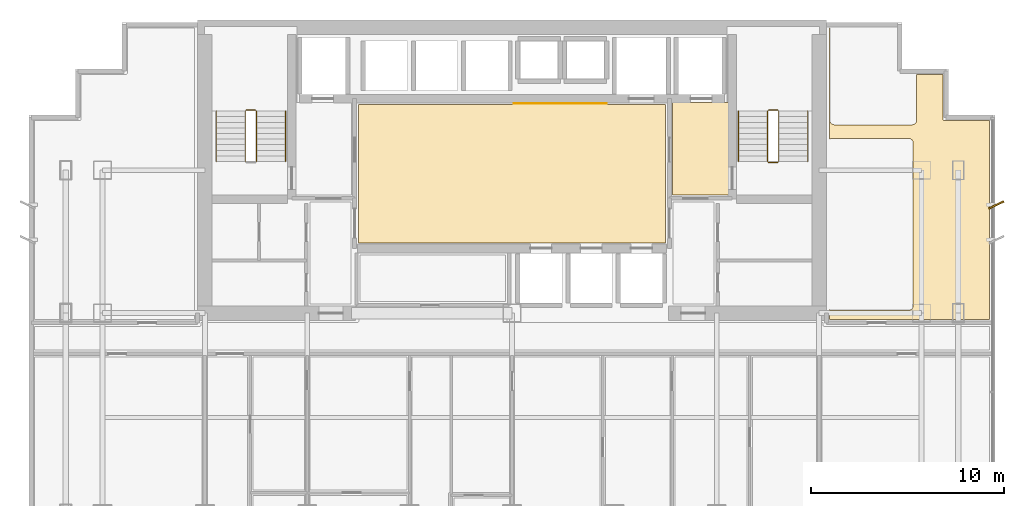
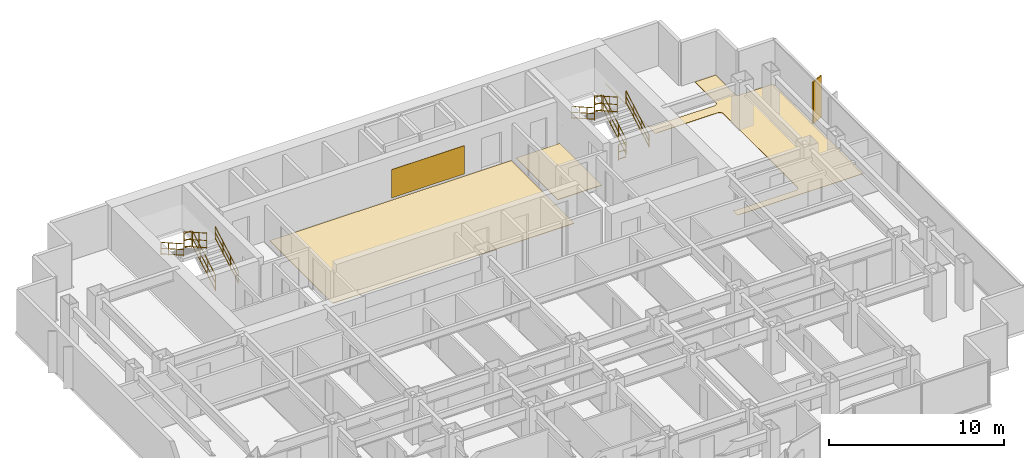
# One storey, part 11 of 11: 11 railings, 4 coverings, 1 shading device.
"""IFC4 building model written with IfcOpenShell, lengths in metres."""

from ifc_helpers import new_model, si_unit, direction, frame, origin, origin_2d, place, context, subcontext, project, spatial, polyline, rectangle, circle, outline, extrude, source, transform, mapped, material, layer, layer_set, type_object, element, save


model = new_model("IFC4")

# Units and contexts
model_context = context("Model", 3, precision=1e-05, world=origin(), true_north=direction((0.0, 1.0)))
body_context = subcontext(model_context, "Body", "Model", "MODEL_VIEW")
ifc_project = project(units=[si_unit("LENGTHUNIT", "METRE"), si_unit("AREAUNIT", "SQUARE_METRE"), si_unit("VOLUMEUNIT", "CUBIC_METRE"), si_unit("PLANEANGLEUNIT", "RADIAN"), si_unit("MASSUNIT", "GRAM", prefix="KILO")], contexts=[model_context])

# Site, building, storey
site_placement = place(None, origin())
site = spatial("IfcSite", under=ifc_project, at=site_placement, CompositionType="ELEMENT")
building_placement = place(site_placement, origin())
building = spatial("IfcBuilding", under=site, at=building_placement, Name="Qianlan Lanfeng Residences", CompositionType="ELEMENT")
storey_placement = place(building_placement, frame((0.0, 0.0, 124.60009765625)))
storey = spatial("IfcBuildingStorey", under=building, at=storey_placement, Name="L34", CompositionType="ELEMENT", Elevation=124.60009765625)

# Coverings
ifc_material_1 = material(Name="Anodised Bronze Feature Wall Cladding")
ifc_layer_1 = layer(ifc_material_1, 0.02490234375)
ifc_layer_set_1 = layer_set([ifc_layer_1], Name="Anodised Bronze Feature Wall Cladding")
covering_type_1 = type_object("IfcCoveringType", Name="CLD-BRZ-25", PredefinedType="CLADDING", material=ifc_layer_set_1)
covering_1_placement = place(storey_placement, frame((0.0, 0.0, 0.14990234375)))
element("IfcCovering", 1, at=covering_1_placement, inside=storey, type_object=covering_type_1, Name="L34 Lift Lobby Bronze Feature Cladding", PredefinedType="CLADDING", context=body_context, shape_type="SweptSolid", body=[
    extrude(outline(polyline([(26.60009765625, 36.050048828125), (31.39990234375, 36.050048828125), (31.39990234375, 36.074951171875), (26.60009765625, 36.074951171875), (26.60009765625, 36.050048828125)])), origin(), (0.0, 0.0, 1.0), 1.969970703125),
])
ifc_material_2 = material(Name="Honed Taitung Granite Stone Flooring", Category="masonry")
ifc_layer_2 = layer(ifc_material_2, 0.030029296875)
ifc_layer_set_2 = layer_set([ifc_layer_2], Name="Honed Taitung Granite Stone Flooring")
covering_type_2 = type_object("IfcCoveringType", Name="FLR-STN-30", PredefinedType="FLOORING", material=ifc_layer_set_2)
covering_2_placement = place(storey_placement, origin())
element("IfcCovering", 2, at=covering_2_placement, inside=storey, type_object=covering_type_2, Name="L34 Firefighting Lift Lobby Floor Finish", PredefinedType="FLOORING", context=body_context, shape_type="SweptSolid", body=[
    extrude(outline(polyline([(34.820068359375, 31.320068359375), (37.7099609375, 31.320068359375), (37.7099609375, 36.110107421875), (34.820068359375, 36.110107421875), (34.820068359375, 31.320068359375)])), origin(), (0.0, 0.0, 1.0), 0.02978515625),
])
covering_3_placement = place(storey_placement, origin())
element("IfcCovering", 3, at=covering_3_placement, inside=storey, type_object=covering_type_2, Name="L34 Lift Lobby Floor Finish", PredefinedType="FLOORING", context=body_context, shape_type="SweptSolid", body=[
    extrude(outline(polyline([(18.550048828125, 28.820068359375), (34.449951171875, 28.820068359375), (34.449951171875, 36.010009765625), (18.550048828125, 36.010009765625), (18.550048828125, 28.820068359375)])), origin(), (0.0, 0.0, 1.0), 0.02978515625),
])
ifc_material_3 = material(Name="Engineered Smoked Oak Timber Flooring", Category="wood")
ifc_layer_3 = layer(ifc_material_3, 0.02197265625)
ifc_layer_set_3 = layer_set([ifc_layer_3], Name="Engineered Smoked Oak Timber Flooring")
covering_type_3 = type_object("IfcCoveringType", Name="FLR-TIM-22", PredefinedType="FLOORING", material=ifc_layer_set_3)
covering_4_placement = place(storey_placement, origin())
element("IfcCovering", 4, at=covering_4_placement, inside=storey, type_object=covering_type_3, Name="L34 Yoga Studio Floor Finish", PredefinedType="FLOORING", context=body_context, shape_type="SweptSolid", body=[
    extrude(outline(polyline([(42.925048828125, 24.8701171875), (51.2099609375, 24.8701171875), (51.2099609375, 35.159912109375), (48.8798828125, 35.159912109375), (48.873046875, 35.159912109375), (48.865966796875, 35.160888671875), (48.860107421875, 35.1630859375), (48.85302734375, 35.1650390625), (48.846923828125, 35.16796875), (48.841064453125, 35.172119140625), (48.8359375, 35.176025390625), (48.8310546875, 35.180908203125), (48.825927734375, 35.18603515625), (48.822021484375, 35.19091796875), (48.818115234375, 35.197021484375), (48.81494140625, 35.202880859375), (48.81298828125, 35.2099609375), (48.81103515625, 35.216064453125), (48.81005859375, 35.222900390625), (48.81005859375, 35.22998046875), (48.81005859375, 37.56005859375), (47.449951171875, 37.56005859375), (47.449951171875, 35.199951171875), (47.448974609375, 35.175048828125), (47.445068359375, 35.15087890625), (47.43896484375, 35.126953125), (47.430908203125, 35.10400390625), (47.419921875, 35.08203125), (47.407958984375, 35.06103515625), (47.39306640625, 35.041015625), (47.376953125, 35.02294921875), (47.35888671875, 35.007080078125), (47.339111328125, 34.991943359375), (47.318115234375, 34.97998046875), (47.2958984375, 34.968994140625), (47.27294921875, 34.9609375), (47.2490234375, 34.955078125), (47.22509765625, 34.950927734375), (47.199951171875, 34.949951171875), (43.199951171875, 34.949951171875), (43.175048828125, 34.950927734375), (43.15087890625, 34.955078125), (43.126953125, 34.9609375), (43.10400390625, 34.968994140625), (43.08203125, 34.97998046875), (43.06103515625, 34.991943359375), (43.041015625, 35.007080078125), (43.02294921875, 35.02294921875), (43.007080078125, 35.041015625), (42.991943359375, 35.06103515625), (42.97998046875, 35.08203125), (42.968994140625, 35.10400390625), (42.9609375, 35.126953125), (42.955078125, 35.15087890625), (42.950927734375, 35.175048828125), (42.949951171875, 35.199951171875), (42.949951171875, 39.9599609375), (42.925048828125, 39.9599609375), (42.925048828125, 34.196044921875), (42.94091796875, 34.2080078125), (42.9619140625, 34.219970703125), (42.98388671875, 34.23095703125), (43.007080078125, 34.239013671875), (43.031005859375, 34.2451171875), (43.054931640625, 34.2490234375), (43.080078125, 34.25), (47.02001953125, 34.25), (47.044921875, 34.2490234375), (47.069091796875, 34.2451171875), (47.093017578125, 34.239013671875), (47.115966796875, 34.23095703125), (47.137939453125, 34.219970703125), (47.158935546875, 34.2080078125), (47.178955078125, 34.193115234375), (47.197021484375, 34.177001953125), (47.212890625, 34.158935546875), (47.22802734375, 34.138916015625), (47.239990234375, 34.117919921875), (47.2509765625, 34.095947265625), (47.259033203125, 34.072998046875), (47.264892578125, 34.049072265625), (47.26904296875, 34.02490234375), (47.27001953125, 34.0), (47.27001953125, 25.60009765625), (47.26904296875, 25.574951171875), (47.264892578125, 25.551025390625), (47.259033203125, 25.527099609375), (47.2509765625, 25.50390625), (47.239990234375, 25.48193359375), (47.22802734375, 25.4609375), (47.212890625, 25.44091796875), (47.197021484375, 25.423095703125), (47.178955078125, 25.406982421875), (47.158935546875, 25.39208984375), (47.137939453125, 25.3798828125), (47.115966796875, 25.368896484375), (47.093017578125, 25.361083984375), (47.069091796875, 25.35498046875), (47.044921875, 25.35107421875), (47.02001953125, 25.35009765625), (43.080078125, 25.35009765625), (43.054931640625, 25.35107421875), (43.031005859375, 25.35498046875), (43.007080078125, 25.361083984375), (42.98388671875, 25.368896484375), (42.9619140625, 25.3798828125), (42.94091796875, 25.39208984375), (42.925048828125, 25.404052734375), (42.925048828125, 24.8701171875)])), origin(), (0.0, 0.0, 1.0), 0.02197265625),
])

# Railings
ifc_material_4 = material(Name="Painted Galvanised Steel Guardrail", Category="steel")
railing_type_1 = type_object("IfcRailingType", Name="GR-ST-1120", PredefinedType="GUARDRAIL", material=ifc_material_4)
railing_1_placement = place(storey_placement, frame((13.27001953125, 33.050048828125, 0.164794921875)))
element("IfcRailing", 5, at=railing_1_placement, inside=storey, type_object=railing_type_1, Name="L34 ST-1 stair guard 1", PredefinedType="GUARDRAIL", context=body_context, shape_type="SweptSolid", body=[
    extrude(circle(Radius=0.02392578125, at=origin_2d()), frame((0.0, 0.0, 0.083984375), z_axis=(0.0, 0.869137319866, 0.494570843475), x_axis=(-1.0, 0.0, 0.0)), (0.0, 0.0, 1.0), 3.0029296875),
    extrude(circle(Radius=0.02392578125, at=origin_2d()), frame((0.0, 0.0, 0.58251953125), z_axis=(0.0, 0.869137319866, 0.494570843475), x_axis=(-1.0, 0.0, 0.0)), (0.0, 0.0, 1.0), 3.0029296875),
    extrude(circle(Radius=0.02392578125, at=origin_2d()), frame((0.0, 0.0, 1.09619140625), z_axis=(0.0, 0.869137319866, 0.494570843475), x_axis=(-1.0, 0.0, 0.0)), (0.0, 0.0, 1.0), 3.0029296875),
    extrude(circle(Radius=0.02099609375, at=origin_2d()), origin(), (0.0, 0.0, 1.0), 1.072021484375),
    extrude(circle(Radius=0.02099609375, at=origin_2d()), frame((0.0, 0.869873046875, 0.4951171875)), (0.0, 0.0, 1.0), 1.072021484375),
    extrude(circle(Radius=0.02099609375, at=origin_2d()), frame((0.0, 1.739990234375, 0.989990234375)), (0.0, 0.0, 1.0), 1.072021484375),
    extrude(circle(Radius=0.02099609375, at=origin_2d()), frame((0.0, 2.60986328125, 1.485107421875)), (0.0, 0.0, 1.0), 1.072021484375),
])
railing_2_placement = place(storey_placement, frame((13.219970703125, 35.7099609375, 1.64990234375)))
element("IfcRailing", 6, at=railing_2_placement, inside=storey, type_object=railing_type_1, Name="L34 ST-1 stair guard 2", PredefinedType="GUARDRAIL", context=body_context, shape_type="SweptSolid", body=[
    extrude(circle(Radius=0.02392578125, at=origin_2d()), frame((0.0, 0.0, 0.083984375), z_axis=(-1.0, 0.0, 0.0), x_axis=(0.0, -1.0, 0.0)), (0.0, 0.0, 1.0), 0.47998046875),
    extrude(circle(Radius=0.02392578125, at=origin_2d()), frame((0.0, 0.0, 0.58251953125), z_axis=(-1.0, 0.0, 0.0), x_axis=(0.0, -1.0, 0.0)), (0.0, 0.0, 1.0), 0.47998046875),
    extrude(circle(Radius=0.02392578125, at=origin_2d()), frame((0.0, 0.0, 1.09619140625), z_axis=(-1.0, 0.0, 0.0), x_axis=(0.0, -1.0, 0.0)), (0.0, 0.0, 1.0), 0.47998046875),
    extrude(circle(Radius=0.02099609375, at=origin_2d()), origin(), (0.0, 0.0, 1.0), 1.072021484375),
    extrude(circle(Radius=0.02099609375, at=origin_2d()), frame((-0.47998046875, 0.0, 0.0)), (0.0, 0.0, 1.0), 1.072021484375),
])
railing_3_placement = place(storey_placement, frame((12.68994140625, 35.659912109375, 1.81494140625)))
element("IfcRailing", 7, at=railing_3_placement, inside=storey, type_object=railing_type_1, Name="L34 ST-1 stair guard 3", PredefinedType="GUARDRAIL", context=body_context, shape_type="SweptSolid", body=[
    extrude(circle(Radius=0.02392578125, at=origin_2d()), frame((0.0, 0.0, 0.083984375), z_axis=(0.0, -0.869172267526, 0.494509422927), x_axis=(1.0, 0.0, 0.0)), (0.0, 0.0, 1.0), 3.002685546875),
    extrude(circle(Radius=0.02392578125, at=origin_2d()), frame((0.0, 0.0, 0.58251953125), z_axis=(0.0, -0.869172267526, 0.494509422927), x_axis=(1.0, 0.0, 0.0)), (0.0, 0.0, 1.0), 3.002685546875),
    extrude(circle(Radius=0.02392578125, at=origin_2d()), frame((0.0, 0.0, 1.09619140625), z_axis=(0.0, -0.869172267526, 0.494509422927), x_axis=(1.0, 0.0, 0.0)), (0.0, 0.0, 1.0), 3.002685546875),
    extrude(circle(Radius=0.02099609375, at=origin_2d()), origin(), (0.0, 0.0, 1.0), 1.072021484375),
    extrude(circle(Radius=0.02099609375, at=origin_2d()), frame((0.0, -0.869873046875, 0.494873046875)), (0.0, 0.0, 1.0), 1.072021484375),
    extrude(circle(Radius=0.02099609375, at=origin_2d()), frame((0.0, -1.739990234375, 0.989990234375)), (0.0, 0.0, 1.0), 1.072021484375),
    extrude(circle(Radius=0.02099609375, at=origin_2d()), frame((0.0, -2.60986328125, 1.48486328125)), (0.0, 0.0, 1.0), 1.072021484375),
])
railing_4_placement = place(storey_placement, frame((40.31005859375, 33.050048828125, 0.164794921875)))
element("IfcRailing", 8, at=railing_4_placement, inside=storey, type_object=railing_type_1, Name="L34 ST-2 stair guard 1", PredefinedType="GUARDRAIL", context=body_context, shape_type="SweptSolid", body=[
    extrude(circle(Radius=0.02392578125, at=origin_2d()), frame((0.0, 0.0, 0.083984375), z_axis=(0.0, 0.869137319866, 0.494570843475), x_axis=(-1.0, 0.0, 0.0)), (0.0, 0.0, 1.0), 3.0029296875),
    extrude(circle(Radius=0.02392578125, at=origin_2d()), frame((0.0, 0.0, 0.58251953125), z_axis=(0.0, 0.869137319866, 0.494570843475), x_axis=(-1.0, 0.0, 0.0)), (0.0, 0.0, 1.0), 3.0029296875),
    extrude(circle(Radius=0.02392578125, at=origin_2d()), frame((0.0, 0.0, 1.09619140625), z_axis=(0.0, 0.869137319866, 0.494570843475), x_axis=(-1.0, 0.0, 0.0)), (0.0, 0.0, 1.0), 3.0029296875),
    extrude(circle(Radius=0.02099609375, at=origin_2d()), origin(), (0.0, 0.0, 1.0), 1.072021484375),
    extrude(circle(Radius=0.02099609375, at=origin_2d()), frame((0.0, 0.869873046875, 0.4951171875)), (0.0, 0.0, 1.0), 1.072021484375),
    extrude(circle(Radius=0.02099609375, at=origin_2d()), frame((0.0, 1.739990234375, 0.989990234375)), (0.0, 0.0, 1.0), 1.072021484375),
    extrude(circle(Radius=0.02099609375, at=origin_2d()), frame((0.0, 2.60986328125, 1.485107421875)), (0.0, 0.0, 1.0), 1.072021484375),
])
railing_5_placement = place(storey_placement, frame((40.260009765625, 35.7099609375, 1.64990234375)))
element("IfcRailing", 9, at=railing_5_placement, inside=storey, type_object=railing_type_1, Name="L34 ST-2 stair guard 2", PredefinedType="GUARDRAIL", context=body_context, shape_type="SweptSolid", body=[
    extrude(circle(Radius=0.02392578125, at=origin_2d()), frame((0.0, 0.0, 0.083984375), z_axis=(-1.0, 0.0, 0.0), x_axis=(0.0, -1.0, 0.0)), (0.0, 0.0, 1.0), 0.47998046875),
    extrude(circle(Radius=0.02392578125, at=origin_2d()), frame((0.0, 0.0, 0.58251953125), z_axis=(-1.0, 0.0, 0.0), x_axis=(0.0, -1.0, 0.0)), (0.0, 0.0, 1.0), 0.47998046875),
    extrude(circle(Radius=0.02392578125, at=origin_2d()), frame((0.0, 0.0, 1.09619140625), z_axis=(-1.0, 0.0, 0.0), x_axis=(0.0, -1.0, 0.0)), (0.0, 0.0, 1.0), 0.47998046875),
    extrude(circle(Radius=0.02099609375, at=origin_2d()), origin(), (0.0, 0.0, 1.0), 1.072021484375),
    extrude(circle(Radius=0.02099609375, at=origin_2d()), frame((-0.47998046875, 0.0, 0.0)), (0.0, 0.0, 1.0), 1.072021484375),
])
railing_6_placement = place(storey_placement, frame((39.72998046875, 35.659912109375, 1.81494140625)))
element("IfcRailing", 10, at=railing_6_placement, inside=storey, type_object=railing_type_1, Name="L34 ST-2 stair guard 3", PredefinedType="GUARDRAIL", context=body_context, shape_type="SweptSolid", body=[
    extrude(circle(Radius=0.02392578125, at=origin_2d()), frame((0.0, 0.0, 0.083984375), z_axis=(0.0, -0.869172267526, 0.494509422927), x_axis=(1.0, 0.0, 0.0)), (0.0, 0.0, 1.0), 3.002685546875),
    extrude(circle(Radius=0.02392578125, at=origin_2d()), frame((0.0, 0.0, 0.58251953125), z_axis=(0.0, -0.869172267526, 0.494509422927), x_axis=(1.0, 0.0, 0.0)), (0.0, 0.0, 1.0), 3.002685546875),
    extrude(circle(Radius=0.02392578125, at=origin_2d()), frame((0.0, 0.0, 1.09619140625), z_axis=(0.0, -0.869172267526, 0.494509422927), x_axis=(1.0, 0.0, 0.0)), (0.0, 0.0, 1.0), 3.002685546875),
    extrude(circle(Radius=0.02099609375, at=origin_2d()), origin(), (0.0, 0.0, 1.0), 1.072021484375),
    extrude(circle(Radius=0.02099609375, at=origin_2d()), frame((0.0, -0.869873046875, 0.494873046875)), (0.0, 0.0, 1.0), 1.072021484375),
    extrude(circle(Radius=0.02099609375, at=origin_2d()), frame((0.0, -1.739990234375, 0.989990234375)), (0.0, 0.0, 1.0), 1.072021484375),
    extrude(circle(Radius=0.02099609375, at=origin_2d()), frame((0.0, -2.60986328125, 1.48486328125)), (0.0, 0.0, 1.0), 1.072021484375),
])
railing_7_placement = place(storey_placement, frame((40.260009765625, 33.0, 0.0)))
element("IfcRailing", 11, at=railing_7_placement, inside=storey, type_object=railing_type_1, Name="L34 ST-2 stair guard 4", PredefinedType="GUARDRAIL", context=body_context, shape_type="SweptSolid", body=[
    extrude(circle(Radius=0.02392578125, at=origin_2d()), frame((0.0, 0.0, 0.083984375), z_axis=(-1.0, 0.0, 0.0), x_axis=(0.0, -1.0, 0.0)), (0.0, 0.0, 1.0), 0.47998046875),
    extrude(circle(Radius=0.02392578125, at=origin_2d()), frame((0.0, 0.0, 0.58251953125), z_axis=(-1.0, 0.0, 0.0), x_axis=(0.0, -1.0, 0.0)), (0.0, 0.0, 1.0), 0.47998046875),
    extrude(circle(Radius=0.02392578125, at=origin_2d()), frame((0.0, 0.0, 1.09619140625), z_axis=(-1.0, 0.0, 0.0), x_axis=(0.0, -1.0, 0.0)), (0.0, 0.0, 1.0), 0.47998046875),
    extrude(circle(Radius=0.02099609375, at=origin_2d()), origin(), (0.0, 0.0, 1.0), 1.072021484375),
    extrude(circle(Radius=0.02099609375, at=origin_2d()), frame((-0.47998046875, 0.0, 0.0)), (0.0, 0.0, 1.0), 1.072021484375),
])
ifc_material_5 = material(Name="Brushed Stainless Steel Handrail", Category="steel")
railing_type_2 = type_object("IfcRailingType", Name="HR-ST-920", PredefinedType="HANDRAIL", material=ifc_material_5)
railing_8_placement = place(storey_placement, frame((14.77001953125, 33.050048828125, 0.164794921875)))
element("IfcRailing", 12, at=railing_8_placement, inside=storey, type_object=railing_type_2, Name="L34 ST-1 stair handrail 1", PredefinedType="HANDRAIL", context=body_context, shape_type="SweptSolid", body=[
    extrude(circle(Radius=0.02392578125, at=origin_2d()), frame((0.0, 0.0, 0.083984375), z_axis=(0.0, 0.869137319866, 0.494570843475), x_axis=(-1.0, 0.0, 0.0)), (0.0, 0.0, 1.0), 3.0029296875),
    extrude(circle(Radius=0.02392578125, at=origin_2d()), frame((0.0, 0.0, 0.468017578125), z_axis=(0.0, 0.869137319866, 0.494570843475), x_axis=(-1.0, 0.0, 0.0)), (0.0, 0.0, 1.0), 3.0029296875),
    extrude(circle(Radius=0.02392578125, at=origin_2d()), frame((0.0, 0.0, 0.8759765625), z_axis=(0.0, 0.869137319866, 0.494570843475), x_axis=(-1.0, 0.0, 0.0)), (0.0, 0.0, 1.0), 3.0029296875),
    extrude(circle(Radius=0.02099609375, at=origin_2d()), origin(), (0.0, 0.0, 1.0), 0.851806640625),
    extrude(circle(Radius=0.02099609375, at=origin_2d()), frame((0.0, 0.869873046875, 0.4951171875)), (0.0, 0.0, 1.0), 0.851806640625),
    extrude(circle(Radius=0.02099609375, at=origin_2d()), frame((0.0, 1.739990234375, 0.989990234375)), (0.0, 0.0, 1.0), 0.851806640625),
    extrude(circle(Radius=0.02099609375, at=origin_2d()), frame((0.0, 2.60986328125, 1.485107421875)), (0.0, 0.0, 1.0), 0.851806640625),
])
railing_9_placement = place(storey_placement, frame((11.18994140625, 35.659912109375, 1.81494140625)))
element("IfcRailing", 13, at=railing_9_placement, inside=storey, type_object=railing_type_2, Name="L34 ST-1 stair handrail 2", PredefinedType="HANDRAIL", context=body_context, shape_type="SweptSolid", body=[
    extrude(circle(Radius=0.02392578125, at=origin_2d()), frame((0.0, 0.0, 0.083984375), z_axis=(0.0, -0.869172267526, 0.494509422927), x_axis=(1.0, 0.0, 0.0)), (0.0, 0.0, 1.0), 3.002685546875),
    extrude(circle(Radius=0.02392578125, at=origin_2d()), frame((0.0, 0.0, 0.468017578125), z_axis=(0.0, -0.869172267526, 0.494509422927), x_axis=(1.0, 0.0, 0.0)), (0.0, 0.0, 1.0), 3.002685546875),
    extrude(circle(Radius=0.02392578125, at=origin_2d()), frame((0.0, 0.0, 0.8759765625), z_axis=(0.0, -0.869172267526, 0.494509422927), x_axis=(1.0, 0.0, 0.0)), (0.0, 0.0, 1.0), 3.002685546875),
    extrude(circle(Radius=0.02099609375, at=origin_2d()), origin(), (0.0, 0.0, 1.0), 0.851806640625),
    extrude(circle(Radius=0.02099609375, at=origin_2d()), frame((0.0, -0.869873046875, 0.494873046875)), (0.0, 0.0, 1.0), 0.851806640625),
    extrude(circle(Radius=0.02099609375, at=origin_2d()), frame((0.0, -1.739990234375, 0.989990234375)), (0.0, 0.0, 1.0), 0.851806640625),
    extrude(circle(Radius=0.02099609375, at=origin_2d()), frame((0.0, -2.60986328125, 1.48486328125)), (0.0, 0.0, 1.0), 0.851806640625),
])
railing_10_placement = place(storey_placement, frame((41.81005859375, 33.050048828125, 0.164794921875)))
element("IfcRailing", 14, at=railing_10_placement, inside=storey, type_object=railing_type_2, Name="L34 ST-2 stair handrail 1", PredefinedType="HANDRAIL", context=body_context, shape_type="SweptSolid", body=[
    extrude(circle(Radius=0.02392578125, at=origin_2d()), frame((0.0, 0.0, 0.083984375), z_axis=(0.0, 0.869137319866, 0.494570843475), x_axis=(-1.0, 0.0, 0.0)), (0.0, 0.0, 1.0), 3.0029296875),
    extrude(circle(Radius=0.02392578125, at=origin_2d()), frame((0.0, 0.0, 0.468017578125), z_axis=(0.0, 0.869137319866, 0.494570843475), x_axis=(-1.0, 0.0, 0.0)), (0.0, 0.0, 1.0), 3.0029296875),
    extrude(circle(Radius=0.02392578125, at=origin_2d()), frame((0.0, 0.0, 0.8759765625), z_axis=(0.0, 0.869137319866, 0.494570843475), x_axis=(-1.0, 0.0, 0.0)), (0.0, 0.0, 1.0), 3.0029296875),
    extrude(circle(Radius=0.02099609375, at=origin_2d()), origin(), (0.0, 0.0, 1.0), 0.851806640625),
    extrude(circle(Radius=0.02099609375, at=origin_2d()), frame((0.0, 0.869873046875, 0.4951171875)), (0.0, 0.0, 1.0), 0.851806640625),
    extrude(circle(Radius=0.02099609375, at=origin_2d()), frame((0.0, 1.739990234375, 0.989990234375)), (0.0, 0.0, 1.0), 0.851806640625),
    extrude(circle(Radius=0.02099609375, at=origin_2d()), frame((0.0, 2.60986328125, 1.485107421875)), (0.0, 0.0, 1.0), 0.851806640625),
])
railing_11_placement = place(storey_placement, frame((38.22998046875, 35.659912109375, 1.81494140625)))
element("IfcRailing", 15, at=railing_11_placement, inside=storey, type_object=railing_type_2, Name="L34 ST-2 stair handrail 2", PredefinedType="HANDRAIL", context=body_context, shape_type="SweptSolid", body=[
    extrude(circle(Radius=0.02392578125, at=origin_2d()), frame((0.0, 0.0, 0.083984375), z_axis=(0.0, -0.869172267526, 0.494509422927), x_axis=(1.0, 0.0, 0.0)), (0.0, 0.0, 1.0), 3.002685546875),
    extrude(circle(Radius=0.02392578125, at=origin_2d()), frame((0.0, 0.0, 0.468017578125), z_axis=(0.0, -0.869172267526, 0.494509422927), x_axis=(1.0, 0.0, 0.0)), (0.0, 0.0, 1.0), 3.002685546875),
    extrude(circle(Radius=0.02392578125, at=origin_2d()), frame((0.0, 0.0, 0.8759765625), z_axis=(0.0, -0.869172267526, 0.494509422927), x_axis=(1.0, 0.0, 0.0)), (0.0, 0.0, 1.0), 3.002685546875),
    extrude(circle(Radius=0.02099609375, at=origin_2d()), origin(), (0.0, 0.0, 1.0), 0.851806640625),
    extrude(circle(Radius=0.02099609375, at=origin_2d()), frame((0.0, -0.869873046875, 0.494873046875)), (0.0, 0.0, 1.0), 0.851806640625),
    extrude(circle(Radius=0.02099609375, at=origin_2d()), frame((0.0, -1.739990234375, 0.989990234375)), (0.0, 0.0, 1.0), 0.851806640625),
    extrude(circle(Radius=0.02099609375, at=origin_2d()), frame((0.0, -2.60986328125, 1.48486328125)), (0.0, 0.0, 1.0), 0.851806640625),
])

# Shading device
ifc_material_6 = material(Name="Anodised Bronze Aluminium Solar Fin", Category="aluminium")
shading_device_type = type_object("IfcShadingDeviceType", Name="FIN-BRZ-850", PredefinedType="SHUTTER", material=ifc_material_6)
shared_shape = source(origin(), body_context, "Body", "SweptSolid", [
    extrude(rectangle(XDim=0.85009765625, YDim=0.080078125, at=origin_2d()), origin(), (0.0, 0.0, 1.0), 2.89990234375),
])
shading_device_placement = place(storey_placement, frame((51.570068359375, 30.800048828125, 0.0), z_axis=(0.0, 0.0, 1.0), x_axis=(0.898794046299, 0.438371146789, 0.0)))
element("IfcShadingDevice", 16, at=shading_device_placement, inside=storey, type_object=shading_device_type, Name="L34 Raked Bronze Solar Fin E2", PredefinedType="SHUTTER", context=body_context, shape_type="MappedRepresentation", body=[
    mapped(shared_shape, transform((0.0, 0.0, 0.0), scale=1.0)),
])

save(model, "model.ifc")
